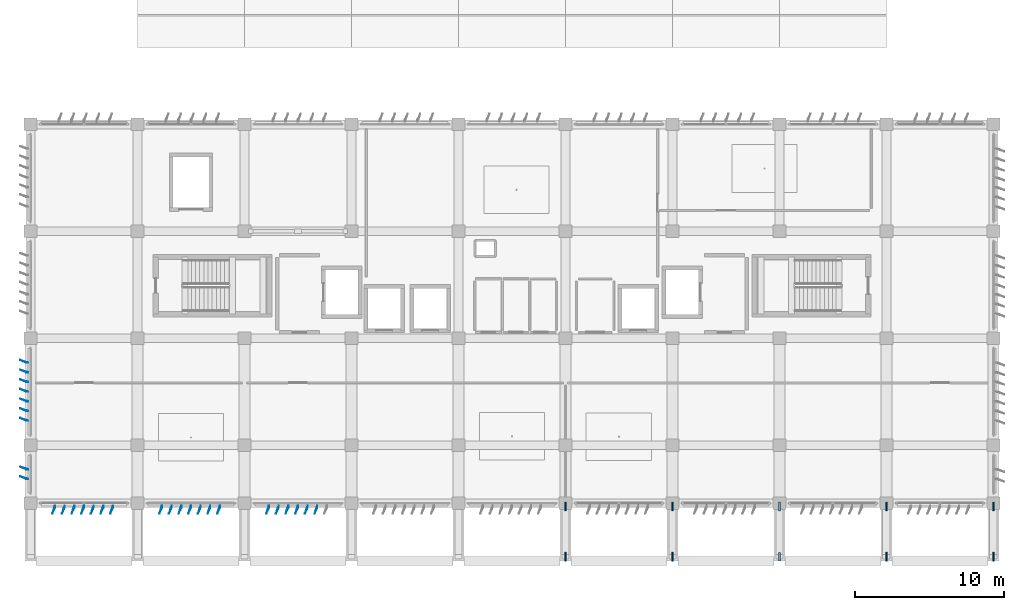
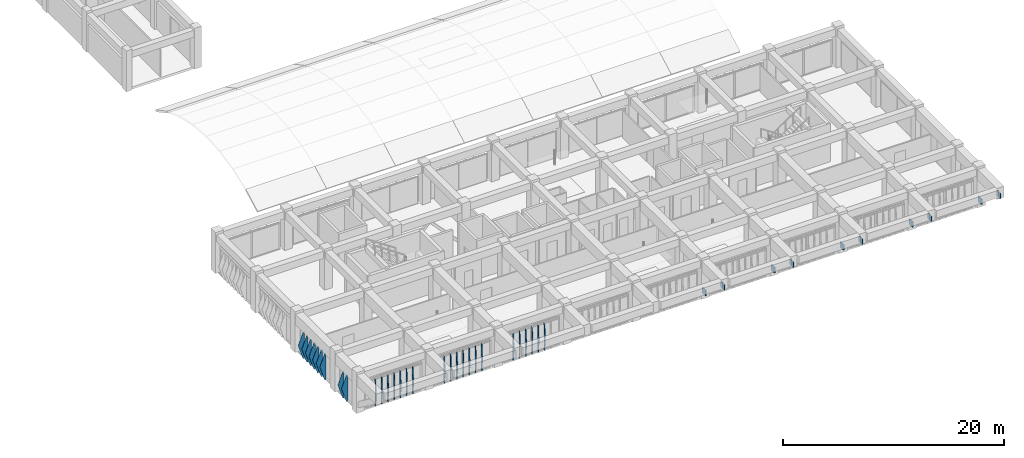
# One storey, part 34 of 56: 39 plates.
"""IFC4 building model written with IfcOpenShell, lengths in metres."""

from ifc_helpers import new_model, si_unit, direction, frame, origin, origin_2d, place, context, subcontext, project, spatial, rectangle, extrude, polygons, material, layer, layer_set, type_object, element, save


model = new_model("IFC4")

# Units and contexts
model_context = context("Model", 3, precision=1e-05, world=origin(), true_north=direction((0.0, 1.0)))
body_context = subcontext(model_context, "Body", "Model", "MODEL_VIEW")
ifc_project = project(units=[si_unit("LENGTHUNIT", "METRE"), si_unit("AREAUNIT", "SQUARE_METRE"), si_unit("VOLUMEUNIT", "CUBIC_METRE"), si_unit("PLANEANGLEUNIT", "RADIAN"), si_unit("MASSUNIT", "GRAM", prefix="KILO")], contexts=[model_context])

# Site, building, storey
site_placement = place(None, origin())
site = spatial("IfcSite", under=ifc_project, at=site_placement, CompositionType="ELEMENT")
building_placement = place(site_placement, origin())
building = spatial("IfcBuilding", under=site, at=building_placement, Name="Kazehaya Institute of Natural Sciences", CompositionType="ELEMENT")
storey_placement = place(building_placement, frame((0.0, 0.0, 24.300048828125)))
storey = spatial("IfcBuildingStorey", under=building, at=storey_placement, Name="L05", CompositionType="ELEMENT", Elevation=24.300048828125)

# Plates
ifc_material_1 = material(Name="Bronze-anodised aluminium alloy A6063S-T5", Category="aluminium")
ifc_layer_1 = layer(ifc_material_1, 0.02001953125, Name="Bronze-anodised aluminium alloy A6063S-T5", Category="aluminium")
ifc_layer_set_1 = layer_set([ifc_layer_1], Name="Bronze-anodised aluminium alloy A6063S-T5")
plate_type_1 = type_object("IfcPlateType", Name="FIN-DF-E1", PredefinedType="USERDEFINED", material=ifc_layer_set_1)
plate_1_placement = place(storey_placement, origin())
element("IfcPlate", 1, at=plate_1_placement, inside=storey, type_object=plate_type_1, Name="L05 folded diamond-pyramid shading fin FIN-L05-W-0340", ObjectType="SHADING_FIN", PredefinedType="USERDEFINED", context=body_context, shape_type="Tessellation", body=[
    polygons([(54.445068359375, 11.715087890625, 0.0400390625), (54.300048828125, 11.715087890625, 0.0400390625), (53.889892578125, 11.893798828125, 1.5), (54.300048828125, 11.715087890625, 2.9599609375), (54.445068359375, 11.715087890625, 2.9599609375), (54.445068359375, 11.735107421875, 0.0400390625), (54.300048828125, 11.735107421875, 0.0400390625), (53.889892578125, 11.913818359375, 1.5), (54.300048828125, 11.735107421875, 2.9599609375), (54.445068359375, 11.735107421875, 2.9599609375)], [[[1, 5, 4, 3, 2]], [[6, 7, 8, 9, 10]], [[1, 2, 7, 6]], [[2, 3, 8, 7]], [[3, 4, 9, 8]], [[4, 5, 10, 9]], [[5, 1, 6, 10]]], closed=True),
])
plate_2_placement = place(storey_placement, origin())
element("IfcPlate", 2, at=plate_2_placement, inside=storey, type_object=plate_type_1, Name="L05 folded diamond-pyramid shading fin FIN-L05-W-0341", ObjectType="SHADING_FIN", PredefinedType="USERDEFINED", context=body_context, shape_type="Tessellation", body=[
    polygons([(54.445068359375, 12.364990234375, 0.0400390625), (54.300048828125, 12.364990234375, 0.0400390625), (53.889892578125, 12.543701171875, 1.5), (54.300048828125, 12.364990234375, 2.9599609375), (54.445068359375, 12.364990234375, 2.9599609375), (54.445068359375, 12.385009765625, 0.0400390625), (54.300048828125, 12.385009765625, 0.0400390625), (53.889892578125, 12.563720703125, 1.5), (54.300048828125, 12.385009765625, 2.9599609375), (54.445068359375, 12.385009765625, 2.9599609375)], [[[1, 5, 4, 3, 2]], [[6, 7, 8, 9, 10]], [[1, 2, 7, 6]], [[2, 3, 8, 7]], [[3, 4, 9, 8]], [[4, 5, 10, 9]], [[5, 1, 6, 10]]], closed=True),
])
plate_3_placement = place(storey_placement, origin())
element("IfcPlate", 3, at=plate_3_placement, inside=storey, type_object=plate_type_1, Name="L05 folded diamond-pyramid shading fin FIN-L05-W-0344", ObjectType="SHADING_FIN", PredefinedType="USERDEFINED", context=body_context, shape_type="Tessellation", body=[
    polygons([(54.445068359375, 15.639892578125, 0.0400390625), (54.300048828125, 15.639892578125, 0.0400390625), (53.889892578125, 15.818603515625, 1.5), (54.300048828125, 15.639892578125, 2.9599609375), (54.445068359375, 15.639892578125, 2.9599609375), (54.445068359375, 15.659912109375, 0.0400390625), (54.300048828125, 15.659912109375, 0.0400390625), (53.889892578125, 15.838623046875, 1.5), (54.300048828125, 15.659912109375, 2.9599609375), (54.445068359375, 15.659912109375, 2.9599609375)], [[[1, 5, 4, 3, 2]], [[6, 7, 8, 9, 10]], [[1, 2, 7, 6]], [[2, 3, 8, 7]], [[3, 4, 9, 8]], [[4, 5, 10, 9]], [[5, 1, 6, 10]]], closed=True),
])
plate_4_placement = place(storey_placement, origin())
element("IfcPlate", 4, at=plate_4_placement, inside=storey, type_object=plate_type_1, Name="L05 folded diamond-pyramid shading fin FIN-L05-W-0345", ObjectType="SHADING_FIN", PredefinedType="USERDEFINED", context=body_context, shape_type="Tessellation", body=[
    polygons([(54.445068359375, 16.2900390625, 0.0400390625), (54.300048828125, 16.2900390625, 0.0400390625), (53.889892578125, 16.46875, 1.5), (54.300048828125, 16.2900390625, 2.9599609375), (54.445068359375, 16.2900390625, 2.9599609375), (54.445068359375, 16.31005859375, 0.0400390625), (54.300048828125, 16.31005859375, 0.0400390625), (53.889892578125, 16.48876953125, 1.5), (54.300048828125, 16.31005859375, 2.9599609375), (54.445068359375, 16.31005859375, 2.9599609375)], [[[1, 5, 4, 3, 2]], [[6, 7, 8, 9, 10]], [[1, 2, 7, 6]], [[2, 3, 8, 7]], [[3, 4, 9, 8]], [[4, 5, 10, 9]], [[5, 1, 6, 10]]], closed=True),
])
plate_5_placement = place(storey_placement, origin())
element("IfcPlate", 5, at=plate_5_placement, inside=storey, type_object=plate_type_1, Name="L05 folded diamond-pyramid shading fin FIN-L05-W-0346", ObjectType="SHADING_FIN", PredefinedType="USERDEFINED", context=body_context, shape_type="Tessellation", body=[
    polygons([(54.445068359375, 16.93994140625, 0.0400390625), (54.300048828125, 16.93994140625, 0.0400390625), (53.889892578125, 17.11865234375, 1.5), (54.300048828125, 16.93994140625, 2.9599609375), (54.445068359375, 16.93994140625, 2.9599609375), (54.445068359375, 16.9599609375, 0.0400390625), (54.300048828125, 16.9599609375, 0.0400390625), (53.889892578125, 17.138671875, 1.5), (54.300048828125, 16.9599609375, 2.9599609375), (54.445068359375, 16.9599609375, 2.9599609375)], [[[1, 5, 4, 3, 2]], [[6, 7, 8, 9, 10]], [[1, 2, 7, 6]], [[2, 3, 8, 7]], [[3, 4, 9, 8]], [[4, 5, 10, 9]], [[5, 1, 6, 10]]], closed=True),
])
plate_6_placement = place(storey_placement, origin())
element("IfcPlate", 6, at=plate_6_placement, inside=storey, type_object=plate_type_1, Name="L05 folded diamond-pyramid shading fin FIN-L05-W-0347", ObjectType="SHADING_FIN", PredefinedType="USERDEFINED", context=body_context, shape_type="Tessellation", body=[
    polygons([(54.445068359375, 17.590087890625, 0.0400390625), (54.300048828125, 17.590087890625, 0.0400390625), (53.889892578125, 17.768798828125, 1.5), (54.300048828125, 17.590087890625, 2.9599609375), (54.445068359375, 17.590087890625, 2.9599609375), (54.445068359375, 17.610107421875, 0.0400390625), (54.300048828125, 17.610107421875, 0.0400390625), (53.889892578125, 17.788818359375, 1.5), (54.300048828125, 17.610107421875, 2.9599609375), (54.445068359375, 17.610107421875, 2.9599609375)], [[[1, 5, 4, 3, 2]], [[6, 7, 8, 9, 10]], [[1, 2, 7, 6]], [[2, 3, 8, 7]], [[3, 4, 9, 8]], [[4, 5, 10, 9]], [[5, 1, 6, 10]]], closed=True),
])
plate_7_placement = place(storey_placement, origin())
element("IfcPlate", 7, at=plate_7_placement, inside=storey, type_object=plate_type_1, Name="L05 folded diamond-pyramid shading fin FIN-L05-W-0348", ObjectType="SHADING_FIN", PredefinedType="USERDEFINED", context=body_context, shape_type="Tessellation", body=[
    polygons([(54.445068359375, 18.239990234375, 0.0400390625), (54.300048828125, 18.239990234375, 0.0400390625), (53.889892578125, 18.418701171875, 1.5), (54.300048828125, 18.239990234375, 2.9599609375), (54.445068359375, 18.239990234375, 2.9599609375), (54.445068359375, 18.260009765625, 0.0400390625), (54.300048828125, 18.260009765625, 0.0400390625), (53.889892578125, 18.438720703125, 1.5), (54.300048828125, 18.260009765625, 2.9599609375), (54.445068359375, 18.260009765625, 2.9599609375)], [[[1, 5, 4, 3, 2]], [[6, 7, 8, 9, 10]], [[1, 2, 7, 6]], [[2, 3, 8, 7]], [[3, 4, 9, 8]], [[4, 5, 10, 9]], [[5, 1, 6, 10]]], closed=True),
])
plate_8_placement = place(storey_placement, origin())
element("IfcPlate", 8, at=plate_8_placement, inside=storey, type_object=plate_type_1, Name="L05 folded diamond-pyramid shading fin FIN-L05-W-0349", ObjectType="SHADING_FIN", PredefinedType="USERDEFINED", context=body_context, shape_type="Tessellation", body=[
    polygons([(54.445068359375, 18.889892578125, 0.0400390625), (54.300048828125, 18.889892578125, 0.0400390625), (53.889892578125, 19.068603515625, 1.5), (54.300048828125, 18.889892578125, 2.9599609375), (54.445068359375, 18.889892578125, 2.9599609375), (54.445068359375, 18.909912109375, 0.0400390625), (54.300048828125, 18.909912109375, 0.0400390625), (53.889892578125, 19.088623046875, 1.5), (54.300048828125, 18.909912109375, 2.9599609375), (54.445068359375, 18.909912109375, 2.9599609375)], [[[1, 5, 4, 3, 2]], [[6, 7, 8, 9, 10]], [[1, 2, 7, 6]], [[2, 3, 8, 7]], [[3, 4, 9, 8]], [[4, 5, 10, 9]], [[5, 1, 6, 10]]], closed=True),
])
plate_9_placement = place(storey_placement, origin())
element("IfcPlate", 9, at=plate_9_placement, inside=storey, type_object=plate_type_1, Name="L05 folded diamond-pyramid shading fin FIN-L05-W-0350", ObjectType="SHADING_FIN", PredefinedType="USERDEFINED", context=body_context, shape_type="Tessellation", body=[
    polygons([(54.445068359375, 19.5400390625, 0.0400390625), (54.300048828125, 19.5400390625, 0.0400390625), (53.889892578125, 19.71875, 1.5), (54.300048828125, 19.5400390625, 2.9599609375), (54.445068359375, 19.5400390625, 2.9599609375), (54.445068359375, 19.56005859375, 0.0400390625), (54.300048828125, 19.56005859375, 0.0400390625), (53.889892578125, 19.73876953125, 1.5), (54.300048828125, 19.56005859375, 2.9599609375), (54.445068359375, 19.56005859375, 2.9599609375)], [[[1, 5, 4, 3, 2]], [[6, 7, 8, 9, 10]], [[1, 2, 7, 6]], [[2, 3, 8, 7]], [[3, 4, 9, 8]], [[4, 5, 10, 9]], [[5, 1, 6, 10]]], closed=True),
])
ifc_layer_2 = layer(ifc_material_1, 0.02001953125, Name="Bronze-anodised aluminium alloy A6063S-T5", Category="aluminium")
ifc_layer_set_2 = layer_set([ifc_layer_2], Name="Bronze-anodised aluminium alloy A6063S-T5")
plate_type_2 = type_object("IfcPlateType", Name="FIN-DF-S1", PredefinedType="USERDEFINED", material=ifc_layer_set_2)
plate_10_placement = place(storey_placement, origin())
element("IfcPlate", 10, at=plate_10_placement, inside=storey, type_object=plate_type_2, Name="L05 folded diamond-pyramid shading fin FIN-L05-S-0275", ObjectType="SHADING_FIN", PredefinedType="USERDEFINED", context=body_context, shape_type="Tessellation", body=[
    polygons([(73.909912109375, 9.945068359375, 0.0400390625), (73.909912109375, 9.800048828125, 0.0400390625), (73.731201171875, 9.389892578125, 1.5), (73.909912109375, 9.800048828125, 2.9599609375), (73.909912109375, 9.945068359375, 2.9599609375), (73.889892578125, 9.945068359375, 0.0400390625), (73.889892578125, 9.800048828125, 0.0400390625), (73.711181640625, 9.389892578125, 1.5), (73.889892578125, 9.800048828125, 2.9599609375), (73.889892578125, 9.945068359375, 2.9599609375)], [[[1, 5, 4, 3, 2]], [[6, 7, 8, 9, 10]], [[1, 2, 7, 6]], [[2, 3, 8, 7]], [[3, 4, 9, 8]], [[4, 5, 10, 9]], [[5, 1, 6, 10]]], closed=True),
])
plate_11_placement = place(storey_placement, origin())
element("IfcPlate", 11, at=plate_11_placement, inside=storey, type_object=plate_type_2, Name="L05 folded diamond-pyramid shading fin FIN-L05-S-0276", ObjectType="SHADING_FIN", PredefinedType="USERDEFINED", context=body_context, shape_type="Tessellation", body=[
    polygons([(73.260009765625, 9.945068359375, 0.0400390625), (73.260009765625, 9.800048828125, 0.0400390625), (73.081298828125, 9.389892578125, 1.5), (73.260009765625, 9.800048828125, 2.9599609375), (73.260009765625, 9.945068359375, 2.9599609375), (73.239990234375, 9.945068359375, 0.0400390625), (73.239990234375, 9.800048828125, 0.0400390625), (73.061279296875, 9.389892578125, 1.5), (73.239990234375, 9.800048828125, 2.9599609375), (73.239990234375, 9.945068359375, 2.9599609375)], [[[1, 5, 4, 3, 2]], [[6, 7, 8, 9, 10]], [[1, 2, 7, 6]], [[2, 3, 8, 7]], [[3, 4, 9, 8]], [[4, 5, 10, 9]], [[5, 1, 6, 10]]], closed=True),
])
plate_12_placement = place(storey_placement, origin())
element("IfcPlate", 12, at=plate_12_placement, inside=storey, type_object=plate_type_2, Name="L05 folded diamond-pyramid shading fin FIN-L05-S-0277", ObjectType="SHADING_FIN", PredefinedType="USERDEFINED", context=body_context, shape_type="Tessellation", body=[
    polygons([(72.610107421875, 9.945068359375, 0.0400390625), (72.610107421875, 9.800048828125, 0.0400390625), (72.431396484375, 9.389892578125, 1.5), (72.610107421875, 9.800048828125, 2.9599609375), (72.610107421875, 9.945068359375, 2.9599609375), (72.590087890625, 9.945068359375, 0.0400390625), (72.590087890625, 9.800048828125, 0.0400390625), (72.411376953125, 9.389892578125, 1.5), (72.590087890625, 9.800048828125, 2.9599609375), (72.590087890625, 9.945068359375, 2.9599609375)], [[[1, 5, 4, 3, 2]], [[6, 7, 8, 9, 10]], [[1, 2, 7, 6]], [[2, 3, 8, 7]], [[3, 4, 9, 8]], [[4, 5, 10, 9]], [[5, 1, 6, 10]]], closed=True),
])
plate_13_placement = place(storey_placement, origin())
element("IfcPlate", 13, at=plate_13_placement, inside=storey, type_object=plate_type_2, Name="L05 folded diamond-pyramid shading fin FIN-L05-S-0278", ObjectType="SHADING_FIN", PredefinedType="USERDEFINED", context=body_context, shape_type="Tessellation", body=[
    polygons([(71.9599609375, 9.945068359375, 0.0400390625), (71.9599609375, 9.800048828125, 0.0400390625), (71.78125, 9.389892578125, 1.5), (71.9599609375, 9.800048828125, 2.9599609375), (71.9599609375, 9.945068359375, 2.9599609375), (71.93994140625, 9.945068359375, 0.0400390625), (71.93994140625, 9.800048828125, 0.0400390625), (71.76123046875, 9.389892578125, 1.5), (71.93994140625, 9.800048828125, 2.9599609375), (71.93994140625, 9.945068359375, 2.9599609375)], [[[1, 5, 4, 3, 2]], [[6, 7, 8, 9, 10]], [[1, 2, 7, 6]], [[2, 3, 8, 7]], [[3, 4, 9, 8]], [[4, 5, 10, 9]], [[5, 1, 6, 10]]], closed=True),
])
plate_14_placement = place(storey_placement, origin())
element("IfcPlate", 14, at=plate_14_placement, inside=storey, type_object=plate_type_2, Name="L05 folded diamond-pyramid shading fin FIN-L05-S-0279", ObjectType="SHADING_FIN", PredefinedType="USERDEFINED", context=body_context, shape_type="Tessellation", body=[
    polygons([(71.31005859375, 9.945068359375, 0.0400390625), (71.31005859375, 9.800048828125, 0.0400390625), (71.13134765625, 9.389892578125, 1.5), (71.31005859375, 9.800048828125, 2.9599609375), (71.31005859375, 9.945068359375, 2.9599609375), (71.2900390625, 9.945068359375, 0.0400390625), (71.2900390625, 9.800048828125, 0.0400390625), (71.111328125, 9.389892578125, 1.5), (71.2900390625, 9.800048828125, 2.9599609375), (71.2900390625, 9.945068359375, 2.9599609375)], [[[1, 5, 4, 3, 2]], [[6, 7, 8, 9, 10]], [[1, 2, 7, 6]], [[2, 3, 8, 7]], [[3, 4, 9, 8]], [[4, 5, 10, 9]], [[5, 1, 6, 10]]], closed=True),
])
plate_15_placement = place(storey_placement, origin())
element("IfcPlate", 15, at=plate_15_placement, inside=storey, type_object=plate_type_2, Name="L05 folded diamond-pyramid shading fin FIN-L05-S-0280", ObjectType="SHADING_FIN", PredefinedType="USERDEFINED", context=body_context, shape_type="Tessellation", body=[
    polygons([(70.659912109375, 9.945068359375, 0.0400390625), (70.659912109375, 9.800048828125, 0.0400390625), (70.481201171875, 9.389892578125, 1.5), (70.659912109375, 9.800048828125, 2.9599609375), (70.659912109375, 9.945068359375, 2.9599609375), (70.639892578125, 9.945068359375, 0.0400390625), (70.639892578125, 9.800048828125, 0.0400390625), (70.461181640625, 9.389892578125, 1.5), (70.639892578125, 9.800048828125, 2.9599609375), (70.639892578125, 9.945068359375, 2.9599609375)], [[[1, 5, 4, 3, 2]], [[6, 7, 8, 9, 10]], [[1, 2, 7, 6]], [[2, 3, 8, 7]], [[3, 4, 9, 8]], [[4, 5, 10, 9]], [[5, 1, 6, 10]]], closed=True),
])
plate_16_placement = place(storey_placement, origin())
element("IfcPlate", 16, at=plate_16_placement, inside=storey, type_object=plate_type_2, Name="L05 folded diamond-pyramid shading fin FIN-L05-S-0281", ObjectType="SHADING_FIN", PredefinedType="USERDEFINED", context=body_context, shape_type="Tessellation", body=[
    polygons([(67.360107421875, 9.945068359375, 0.0400390625), (67.360107421875, 9.800048828125, 0.0400390625), (67.181396484375, 9.389892578125, 1.5), (67.360107421875, 9.800048828125, 2.9599609375), (67.360107421875, 9.945068359375, 2.9599609375), (67.340087890625, 9.945068359375, 0.0400390625), (67.340087890625, 9.800048828125, 0.0400390625), (67.161376953125, 9.389892578125, 1.5), (67.340087890625, 9.800048828125, 2.9599609375), (67.340087890625, 9.945068359375, 2.9599609375)], [[[1, 5, 4, 3, 2]], [[6, 7, 8, 9, 10]], [[1, 2, 7, 6]], [[2, 3, 8, 7]], [[3, 4, 9, 8]], [[4, 5, 10, 9]], [[5, 1, 6, 10]]], closed=True),
])
plate_17_placement = place(storey_placement, origin())
element("IfcPlate", 17, at=plate_17_placement, inside=storey, type_object=plate_type_2, Name="L05 folded diamond-pyramid shading fin FIN-L05-S-0282", ObjectType="SHADING_FIN", PredefinedType="USERDEFINED", context=body_context, shape_type="Tessellation", body=[
    polygons([(66.7099609375, 9.945068359375, 0.0400390625), (66.7099609375, 9.800048828125, 0.0400390625), (66.53125, 9.389892578125, 1.5), (66.7099609375, 9.800048828125, 2.9599609375), (66.7099609375, 9.945068359375, 2.9599609375), (66.68994140625, 9.945068359375, 0.0400390625), (66.68994140625, 9.800048828125, 0.0400390625), (66.51123046875, 9.389892578125, 1.5), (66.68994140625, 9.800048828125, 2.9599609375), (66.68994140625, 9.945068359375, 2.9599609375)], [[[1, 5, 4, 3, 2]], [[6, 7, 8, 9, 10]], [[1, 2, 7, 6]], [[2, 3, 8, 7]], [[3, 4, 9, 8]], [[4, 5, 10, 9]], [[5, 1, 6, 10]]], closed=True),
])
plate_18_placement = place(storey_placement, origin())
element("IfcPlate", 18, at=plate_18_placement, inside=storey, type_object=plate_type_2, Name="L05 folded diamond-pyramid shading fin FIN-L05-S-0283", ObjectType="SHADING_FIN", PredefinedType="USERDEFINED", context=body_context, shape_type="Tessellation", body=[
    polygons([(66.06005859375, 9.945068359375, 0.0400390625), (66.06005859375, 9.800048828125, 0.0400390625), (65.88134765625, 9.389892578125, 1.5), (66.06005859375, 9.800048828125, 2.9599609375), (66.06005859375, 9.945068359375, 2.9599609375), (66.0400390625, 9.945068359375, 0.0400390625), (66.0400390625, 9.800048828125, 0.0400390625), (65.861328125, 9.389892578125, 1.5), (66.0400390625, 9.800048828125, 2.9599609375), (66.0400390625, 9.945068359375, 2.9599609375)], [[[1, 5, 4, 3, 2]], [[6, 7, 8, 9, 10]], [[1, 2, 7, 6]], [[2, 3, 8, 7]], [[3, 4, 9, 8]], [[4, 5, 10, 9]], [[5, 1, 6, 10]]], closed=True),
])
plate_19_placement = place(storey_placement, origin())
element("IfcPlate", 19, at=plate_19_placement, inside=storey, type_object=plate_type_2, Name="L05 folded diamond-pyramid shading fin FIN-L05-S-0284", ObjectType="SHADING_FIN", PredefinedType="USERDEFINED", context=body_context, shape_type="Tessellation", body=[
    polygons([(65.409912109375, 9.945068359375, 0.0400390625), (65.409912109375, 9.800048828125, 0.0400390625), (65.231201171875, 9.389892578125, 1.5), (65.409912109375, 9.800048828125, 2.9599609375), (65.409912109375, 9.945068359375, 2.9599609375), (65.389892578125, 9.945068359375, 0.0400390625), (65.389892578125, 9.800048828125, 0.0400390625), (65.211181640625, 9.389892578125, 1.5), (65.389892578125, 9.800048828125, 2.9599609375), (65.389892578125, 9.945068359375, 2.9599609375)], [[[1, 5, 4, 3, 2]], [[6, 7, 8, 9, 10]], [[1, 2, 7, 6]], [[2, 3, 8, 7]], [[3, 4, 9, 8]], [[4, 5, 10, 9]], [[5, 1, 6, 10]]], closed=True),
])
plate_20_placement = place(storey_placement, origin())
element("IfcPlate", 20, at=plate_20_placement, inside=storey, type_object=plate_type_2, Name="L05 folded diamond-pyramid shading fin FIN-L05-S-0285", ObjectType="SHADING_FIN", PredefinedType="USERDEFINED", context=body_context, shape_type="Tessellation", body=[
    polygons([(64.760009765625, 9.945068359375, 0.0400390625), (64.760009765625, 9.800048828125, 0.0400390625), (64.581298828125, 9.389892578125, 1.5), (64.760009765625, 9.800048828125, 2.9599609375), (64.760009765625, 9.945068359375, 2.9599609375), (64.739990234375, 9.945068359375, 0.0400390625), (64.739990234375, 9.800048828125, 0.0400390625), (64.561279296875, 9.389892578125, 1.5), (64.739990234375, 9.800048828125, 2.9599609375), (64.739990234375, 9.945068359375, 2.9599609375)], [[[1, 5, 4, 3, 2]], [[6, 7, 8, 9, 10]], [[1, 2, 7, 6]], [[2, 3, 8, 7]], [[3, 4, 9, 8]], [[4, 5, 10, 9]], [[5, 1, 6, 10]]], closed=True),
])
plate_21_placement = place(storey_placement, origin())
element("IfcPlate", 21, at=plate_21_placement, inside=storey, type_object=plate_type_2, Name="L05 folded diamond-pyramid shading fin FIN-L05-S-0286", ObjectType="SHADING_FIN", PredefinedType="USERDEFINED", context=body_context, shape_type="Tessellation", body=[
    polygons([(64.110107421875, 9.945068359375, 0.0400390625), (64.110107421875, 9.800048828125, 0.0400390625), (63.931396484375, 9.389892578125, 1.5), (64.110107421875, 9.800048828125, 2.9599609375), (64.110107421875, 9.945068359375, 2.9599609375), (64.090087890625, 9.945068359375, 0.0400390625), (64.090087890625, 9.800048828125, 0.0400390625), (63.911376953125, 9.389892578125, 1.5), (64.090087890625, 9.800048828125, 2.9599609375), (64.090087890625, 9.945068359375, 2.9599609375)], [[[1, 5, 4, 3, 2]], [[6, 7, 8, 9, 10]], [[1, 2, 7, 6]], [[2, 3, 8, 7]], [[3, 4, 9, 8]], [[4, 5, 10, 9]], [[5, 1, 6, 10]]], closed=True),
])
plate_22_placement = place(storey_placement, origin())
element("IfcPlate", 22, at=plate_22_placement, inside=storey, type_object=plate_type_2, Name="L05 folded diamond-pyramid shading fin FIN-L05-S-0287", ObjectType="SHADING_FIN", PredefinedType="USERDEFINED", context=body_context, shape_type="Tessellation", body=[
    polygons([(63.4599609375, 9.945068359375, 0.0400390625), (63.4599609375, 9.800048828125, 0.0400390625), (63.28125, 9.389892578125, 1.5), (63.4599609375, 9.800048828125, 2.9599609375), (63.4599609375, 9.945068359375, 2.9599609375), (63.43994140625, 9.945068359375, 0.0400390625), (63.43994140625, 9.800048828125, 0.0400390625), (63.26123046875, 9.389892578125, 1.5), (63.43994140625, 9.800048828125, 2.9599609375), (63.43994140625, 9.945068359375, 2.9599609375)], [[[1, 5, 4, 3, 2]], [[6, 7, 8, 9, 10]], [[1, 2, 7, 6]], [[2, 3, 8, 7]], [[3, 4, 9, 8]], [[4, 5, 10, 9]], [[5, 1, 6, 10]]], closed=True),
])
plate_23_placement = place(storey_placement, origin())
element("IfcPlate", 23, at=plate_23_placement, inside=storey, type_object=plate_type_2, Name="L05 folded diamond-pyramid shading fin FIN-L05-S-0288", ObjectType="SHADING_FIN", PredefinedType="USERDEFINED", context=body_context, shape_type="Tessellation", body=[
    polygons([(60.159912109375, 9.945068359375, 0.0400390625), (60.159912109375, 9.800048828125, 0.0400390625), (59.981201171875, 9.389892578125, 1.5), (60.159912109375, 9.800048828125, 2.9599609375), (60.159912109375, 9.945068359375, 2.9599609375), (60.139892578125, 9.945068359375, 0.0400390625), (60.139892578125, 9.800048828125, 0.0400390625), (59.961181640625, 9.389892578125, 1.5), (60.139892578125, 9.800048828125, 2.9599609375), (60.139892578125, 9.945068359375, 2.9599609375)], [[[1, 5, 4, 3, 2]], [[6, 7, 8, 9, 10]], [[1, 2, 7, 6]], [[2, 3, 8, 7]], [[3, 4, 9, 8]], [[4, 5, 10, 9]], [[5, 1, 6, 10]]], closed=True),
])
plate_24_placement = place(storey_placement, origin())
element("IfcPlate", 24, at=plate_24_placement, inside=storey, type_object=plate_type_2, Name="L05 folded diamond-pyramid shading fin FIN-L05-S-0289", ObjectType="SHADING_FIN", PredefinedType="USERDEFINED", context=body_context, shape_type="Tessellation", body=[
    polygons([(59.510009765625, 9.945068359375, 0.0400390625), (59.510009765625, 9.800048828125, 0.0400390625), (59.331298828125, 9.389892578125, 1.5), (59.510009765625, 9.800048828125, 2.9599609375), (59.510009765625, 9.945068359375, 2.9599609375), (59.489990234375, 9.945068359375, 0.0400390625), (59.489990234375, 9.800048828125, 0.0400390625), (59.311279296875, 9.389892578125, 1.5), (59.489990234375, 9.800048828125, 2.9599609375), (59.489990234375, 9.945068359375, 2.9599609375)], [[[1, 5, 4, 3, 2]], [[6, 7, 8, 9, 10]], [[1, 2, 7, 6]], [[2, 3, 8, 7]], [[3, 4, 9, 8]], [[4, 5, 10, 9]], [[5, 1, 6, 10]]], closed=True),
])
plate_25_placement = place(storey_placement, origin())
element("IfcPlate", 25, at=plate_25_placement, inside=storey, type_object=plate_type_2, Name="L05 folded diamond-pyramid shading fin FIN-L05-S-0290", ObjectType="SHADING_FIN", PredefinedType="USERDEFINED", context=body_context, shape_type="Tessellation", body=[
    polygons([(58.860107421875, 9.945068359375, 0.0400390625), (58.860107421875, 9.800048828125, 0.0400390625), (58.681396484375, 9.389892578125, 1.5), (58.860107421875, 9.800048828125, 2.9599609375), (58.860107421875, 9.945068359375, 2.9599609375), (58.840087890625, 9.945068359375, 0.0400390625), (58.840087890625, 9.800048828125, 0.0400390625), (58.661376953125, 9.389892578125, 1.5), (58.840087890625, 9.800048828125, 2.9599609375), (58.840087890625, 9.945068359375, 2.9599609375)], [[[1, 5, 4, 3, 2]], [[6, 7, 8, 9, 10]], [[1, 2, 7, 6]], [[2, 3, 8, 7]], [[3, 4, 9, 8]], [[4, 5, 10, 9]], [[5, 1, 6, 10]]], closed=True),
])
plate_26_placement = place(storey_placement, origin())
element("IfcPlate", 26, at=plate_26_placement, inside=storey, type_object=plate_type_2, Name="L05 folded diamond-pyramid shading fin FIN-L05-S-0291", ObjectType="SHADING_FIN", PredefinedType="USERDEFINED", context=body_context, shape_type="Tessellation", body=[
    polygons([(58.2099609375, 9.945068359375, 0.0400390625), (58.2099609375, 9.800048828125, 0.0400390625), (58.03125, 9.389892578125, 1.5), (58.2099609375, 9.800048828125, 2.9599609375), (58.2099609375, 9.945068359375, 2.9599609375), (58.18994140625, 9.945068359375, 0.0400390625), (58.18994140625, 9.800048828125, 0.0400390625), (58.01123046875, 9.389892578125, 1.5), (58.18994140625, 9.800048828125, 2.9599609375), (58.18994140625, 9.945068359375, 2.9599609375)], [[[1, 5, 4, 3, 2]], [[6, 7, 8, 9, 10]], [[1, 2, 7, 6]], [[2, 3, 8, 7]], [[3, 4, 9, 8]], [[4, 5, 10, 9]], [[5, 1, 6, 10]]], closed=True),
])
plate_27_placement = place(storey_placement, origin())
element("IfcPlate", 27, at=plate_27_placement, inside=storey, type_object=plate_type_2, Name="L05 folded diamond-pyramid shading fin FIN-L05-S-0292", ObjectType="SHADING_FIN", PredefinedType="USERDEFINED", context=body_context, shape_type="Tessellation", body=[
    polygons([(57.56005859375, 9.945068359375, 0.0400390625), (57.56005859375, 9.800048828125, 0.0400390625), (57.38134765625, 9.389892578125, 1.5), (57.56005859375, 9.800048828125, 2.9599609375), (57.56005859375, 9.945068359375, 2.9599609375), (57.5400390625, 9.945068359375, 0.0400390625), (57.5400390625, 9.800048828125, 0.0400390625), (57.361328125, 9.389892578125, 1.5), (57.5400390625, 9.800048828125, 2.9599609375), (57.5400390625, 9.945068359375, 2.9599609375)], [[[1, 5, 4, 3, 2]], [[6, 7, 8, 9, 10]], [[1, 2, 7, 6]], [[2, 3, 8, 7]], [[3, 4, 9, 8]], [[4, 5, 10, 9]], [[5, 1, 6, 10]]], closed=True),
])
plate_28_placement = place(storey_placement, origin())
element("IfcPlate", 28, at=plate_28_placement, inside=storey, type_object=plate_type_2, Name="L05 folded diamond-pyramid shading fin FIN-L05-S-0293", ObjectType="SHADING_FIN", PredefinedType="USERDEFINED", context=body_context, shape_type="Tessellation", body=[
    polygons([(56.909912109375, 9.945068359375, 0.0400390625), (56.909912109375, 9.800048828125, 0.0400390625), (56.731201171875, 9.389892578125, 1.5), (56.909912109375, 9.800048828125, 2.9599609375), (56.909912109375, 9.945068359375, 2.9599609375), (56.889892578125, 9.945068359375, 0.0400390625), (56.889892578125, 9.800048828125, 0.0400390625), (56.711181640625, 9.389892578125, 1.5), (56.889892578125, 9.800048828125, 2.9599609375), (56.889892578125, 9.945068359375, 2.9599609375)], [[[1, 5, 4, 3, 2]], [[6, 7, 8, 9, 10]], [[1, 2, 7, 6]], [[2, 3, 8, 7]], [[3, 4, 9, 8]], [[4, 5, 10, 9]], [[5, 1, 6, 10]]], closed=True),
])
plate_29_placement = place(storey_placement, origin())
element("IfcPlate", 29, at=plate_29_placement, inside=storey, type_object=plate_type_2, Name="L05 folded diamond-pyramid shading fin FIN-L05-S-0294", ObjectType="SHADING_FIN", PredefinedType="USERDEFINED", context=body_context, shape_type="Tessellation", body=[
    polygons([(56.260009765625, 9.945068359375, 0.0400390625), (56.260009765625, 9.800048828125, 0.0400390625), (56.081298828125, 9.389892578125, 1.5), (56.260009765625, 9.800048828125, 2.9599609375), (56.260009765625, 9.945068359375, 2.9599609375), (56.239990234375, 9.945068359375, 0.0400390625), (56.239990234375, 9.800048828125, 0.0400390625), (56.061279296875, 9.389892578125, 1.5), (56.239990234375, 9.800048828125, 2.9599609375), (56.239990234375, 9.945068359375, 2.9599609375)], [[[1, 5, 4, 3, 2]], [[6, 7, 8, 9, 10]], [[1, 2, 7, 6]], [[2, 3, 8, 7]], [[3, 4, 9, 8]], [[4, 5, 10, 9]], [[5, 1, 6, 10]]], closed=True),
])
ifc_material_2 = material(Name="Structural steel SM490B", Category="steel")
ifc_layer_3 = layer(ifc_material_2, 0.110107421875, Name="Structural steel SM490B", Category="steel")
ifc_layer_set_3 = layer_set([ifc_layer_3], Name="Structural steel SM490B")
plate_type_3 = type_object("IfcPlateType", Name="PL-NODE-01", PredefinedType="SHEET", material=ifc_layer_set_3)
for number, where, z_axis, x_axis, name in (
    (30, (112.199951171875, 9.8798828125, 0.2998046875), (0.0, 0.0, 1.0), (1.0, 0.0, 0.0), "L05 strut lower column gusset plate 9"),
    (31, (112.199951171875, 6.5, 2.97998046875), (0.0, 0.0, 1.0), (1.0, 0.0, 0.0), "L05 strut upper transfer-girder gusset plate 9"),
):
    element("IfcPlate", number, at=place(storey_placement, frame(where, z_axis=z_axis, x_axis=x_axis)), inside=storey, type_object=plate_type_3, Name=name, PredefinedType="SHEET", context=body_context, shape_type="SweptSolid", body=[
        extrude(rectangle(XDim=0.110107421875, YDim=0.60009765625, at=origin_2d()), origin(), (0.0, 0.0, 1.0), 0.60009765625),
    ])
ifc_layer_4 = layer(ifc_material_2, 0.1201171875, Name="Structural steel SM490B", Category="steel")
ifc_layer_set_4 = layer_set([ifc_layer_4], Name="Structural steel SM490B")
plate_type_4 = type_object("IfcPlateType", Name="PL-NODE-02", PredefinedType="SHEET", material=ifc_layer_set_4)
for number, where, z_axis, x_axis, name in (
    (32, (90.60009765625, 9.8798828125, 0.2998046875), (0.0, 0.0, 1.0), (1.0, 0.0, 0.0), "L05 strut lower column gusset plate 6"),
    (33, (90.60009765625, 6.5, 2.97998046875), (0.0, 0.0, 1.0), (1.0, 0.0, 0.0), "L05 strut upper transfer-girder gusset plate 6"),
    (34, (119.39990234375, 9.8798828125, 0.2998046875), (0.0, 0.0, 1.0), (1.0, 0.0, 0.0), "L05 strut lower column gusset plate 10"),
    (35, (119.39990234375, 6.5, 2.97998046875), (0.0, 0.0, 1.0), (1.0, 0.0, 0.0), "L05 strut upper transfer-girder gusset plate 10"),
):
    element("IfcPlate", number, at=place(storey_placement, frame(where, z_axis=z_axis, x_axis=x_axis)), inside=storey, type_object=plate_type_4, Name=name, PredefinedType="SHEET", context=body_context, shape_type="SweptSolid", body=[
        extrude(rectangle(XDim=0.1201171875, YDim=0.60009765625, at=origin_2d()), origin(), (0.0, 0.0, 1.0), 0.60009765625),
    ])
ifc_layer_5 = layer(ifc_material_2, 0.1298828125, Name="Structural steel SM490B", Category="steel")
ifc_layer_set_5 = layer_set([ifc_layer_5], Name="Structural steel SM490B")
plate_type_5 = type_object("IfcPlateType", Name="PL-NODE-03", PredefinedType="SHEET", material=ifc_layer_set_5)
for number, where, z_axis, x_axis, name in (
    (36, (97.800048828125, 9.8798828125, 0.2998046875), (0.0, 0.0, 1.0), (1.0, 0.0, 0.0), "L05 strut lower column gusset plate 7"),
    (37, (97.800048828125, 6.5, 2.97998046875), (0.0, 0.0, 1.0), (1.0, 0.0, 0.0), "L05 strut upper transfer-girder gusset plate 7"),
):
    element("IfcPlate", number, at=place(storey_placement, frame(where, z_axis=z_axis, x_axis=x_axis)), inside=storey, type_object=plate_type_5, Name=name, PredefinedType="SHEET", context=body_context, shape_type="SweptSolid", body=[
        extrude(rectangle(XDim=0.1298828125, YDim=0.60009765625, at=origin_2d()), origin(), (0.0, 0.0, 1.0), 0.60009765625),
    ])
ifc_layer_6 = layer(ifc_material_2, 0.139892578125, Name="Structural steel SM490B", Category="steel")
ifc_layer_set_6 = layer_set([ifc_layer_6], Name="Structural steel SM490B")
plate_type_6 = type_object("IfcPlateType", Name="PL-NODE-04", PredefinedType="SHEET", material=ifc_layer_set_6)
for number, where, z_axis, x_axis, name in (
    (38, (105.0, 9.8798828125, 0.2998046875), (0.0, 0.0, 1.0), (1.0, 0.0, 0.0), "L05 strut lower column gusset plate 8"),
    (39, (105.0, 6.5, 2.97998046875), (0.0, 0.0, 1.0), (1.0, 0.0, 0.0), "L05 strut upper transfer-girder gusset plate 8"),
):
    element("IfcPlate", number, at=place(storey_placement, frame(where, z_axis=z_axis, x_axis=x_axis)), inside=storey, type_object=plate_type_6, Name=name, PredefinedType="SHEET", context=body_context, shape_type="SweptSolid", body=[
        extrude(rectangle(XDim=0.139892578125, YDim=0.60009765625, at=origin_2d()), origin(), (0.0, 0.0, 1.0), 0.60009765625),
    ])

save(model, "model.ifc")
